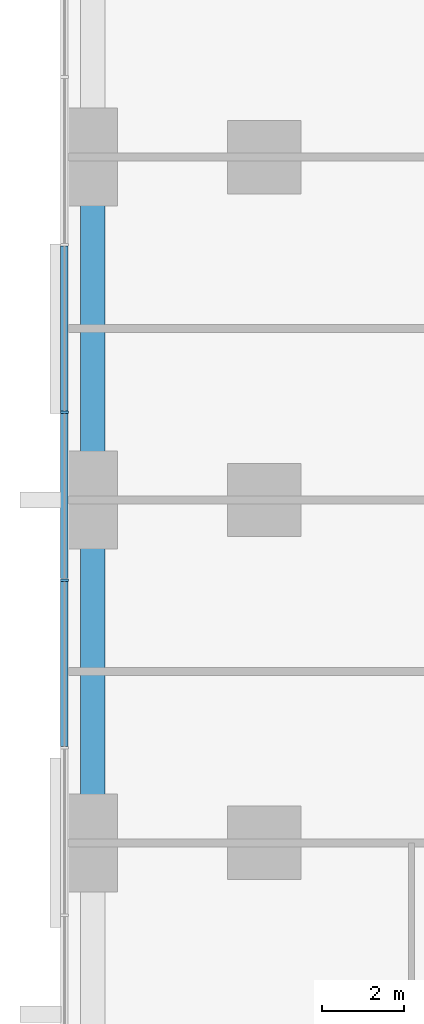
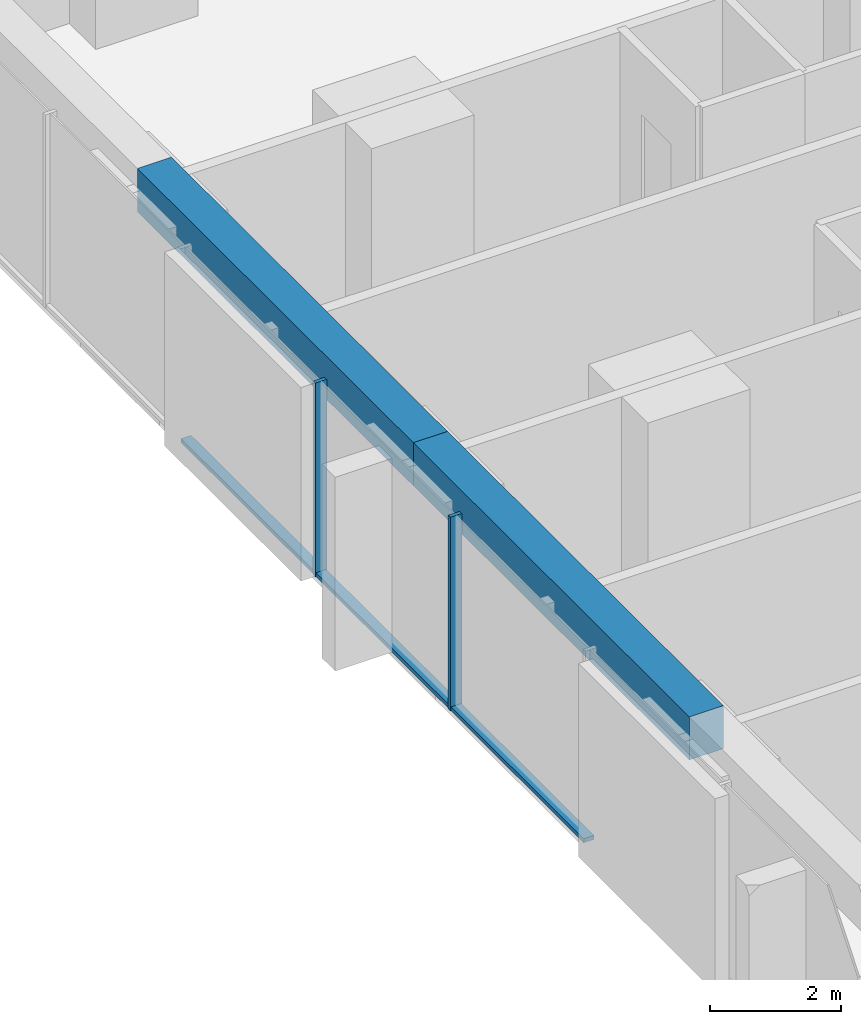
# One storey, part 3 of 18: 5 members, 2 beams, 1 element without a shape of its own.
"""IFC4 building model written with IfcOpenShell, lengths in metres."""

from ifc_helpers import new_model, si_unit, direction, frame, origin, origin_2d, place, context, subcontext, project, spatial, rectangle, extrude, material, material_profile, profile_set, type_object, element, aggregate, save


model = new_model("IFC4")

# Units and contexts
model_context = context("Model", 3, precision=1e-05, world=origin(), true_north=direction((0.0, 1.0)))
body_context = subcontext(model_context, "Body", "Model", "MODEL_VIEW")
ifc_project = project(units=[si_unit("LENGTHUNIT", "METRE"), si_unit("AREAUNIT", "SQUARE_METRE"), si_unit("VOLUMEUNIT", "CUBIC_METRE"), si_unit("PLANEANGLEUNIT", "RADIAN"), si_unit("MASSUNIT", "GRAM", prefix="KILO")], contexts=[model_context])

# Site, building, storey
site_placement = place(None, origin())
site = spatial("IfcSite", under=ifc_project, at=site_placement, CompositionType="ELEMENT")
building_placement = place(site_placement, origin())
building = spatial("IfcBuilding", under=site, at=building_placement, Name="Dunama Terrace Hotel", CompositionType="ELEMENT")
storey_placement = place(building_placement, frame((0.0, 0.0, 30.60009765625)))
storey = spatial("IfcBuildingStorey", under=building, at=storey_placement, Name="L06", CompositionType="ELEMENT", Elevation=30.60009765625)

# Curtain wall, members
ifc_material_1 = material(Name="Aluminium curtain wall system", Category="aluminium")
curtain_wall_type = type_object("IfcCurtainWallType", Name="Unitised fritted glass wall CW-A", PredefinedType="NOTDEFINED", material=ifc_material_1)
curtain_wall_placement = place(storey_placement, origin())
curtain_wall = element("IfcCurtainWall", 1, at=curtain_wall_placement, inside=storey, type_object=curtain_wall_type, Name="Unitised fritted glass wall CW-A L06", PredefinedType="NOTDEFINED")
ifc_material_2 = material(Name="Aluminium mullion", Category="aluminium")
ifc_material_profile_1 = material_profile(ifc_material_2, rectangle(XDim=0.06494140625, YDim=0.199951171875, at=origin_2d()), Name="CWA MULLION 65X200")
ifc_profile_set_1 = profile_set([ifc_material_profile_1], Name="Aluminium mullion")
member_type_1 = type_object("IfcMemberType", Name="CWA mullion 65x200", PredefinedType="MULLION", material=ifc_profile_set_1)
member_1_placement = place(storey_placement, frame((-0.10009765625, 27.345947265625, 0.0), z_axis=(0.0, 0.0, 1.0), x_axis=(0.0, -1.0, 0.0)))
member_1 = element("IfcMember", 2, at=member_1_placement, type_object=member_type_1, Name="CWA mullion", PredefinedType="MULLION", context=body_context, shape_type="SweptSolid", body=[
    extrude(rectangle(XDim=0.06494140625, YDim=0.199951171875, at=origin_2d()), origin(), (0.0, 0.0, 1.0), 3.599853515625),
])
member_2_placement = place(storey_placement, frame((-0.10009765625, 23.238037109375, 0.0), z_axis=(0.0, 0.0, 1.0), x_axis=(0.0, -1.0, 0.0)))
member_2 = element("IfcMember", 3, at=member_2_placement, type_object=member_type_1, Name="CWA mullion", PredefinedType="MULLION", context=body_context, shape_type="SweptSolid", body=[
    extrude(rectangle(XDim=0.06494140625, YDim=0.199951171875, at=origin_2d()), origin(), (0.0, 0.0, 1.0), 3.599853515625),
])
ifc_material_3 = material(Name="Aluminium transom", Category="aluminium")
ifc_material_profile_2 = material_profile(ifc_material_3, rectangle(XDim=0.179931640625, YDim=0.074951171875, at=origin_2d()), Name="CWA TRANSOM 180X75")
ifc_profile_set_2 = profile_set([ifc_material_profile_2], Name="Aluminium transom")
member_type_2 = type_object("IfcMemberType", Name="CWA transom 180x75", PredefinedType="USERDEFINED", material=ifc_profile_set_2)
member_3_placement = place(storey_placement, frame((-0.10009765625, 31.4208984375, 0.037353515625), z_axis=(0.0, -1.0, 0.0), x_axis=(1.0, 0.0, 0.0)))
member_3 = element("IfcMember", 4, at=member_3_placement, type_object=member_type_2, Name="CWA transom", ObjectType="TRANSOM", PredefinedType="USERDEFINED", context=body_context, shape_type="SweptSolid", body=[
    extrude(rectangle(XDim=0.179931640625, YDim=0.074951171875, at=origin_2d()), origin(), (0.0, 0.0, 1.0), 4.0419921875),
])
member_4_placement = place(storey_placement, frame((-0.10009765625, 27.31396484375, 0.037353515625), z_axis=(0.0, -1.0, 0.0), x_axis=(1.0, 0.0, 0.0)))
member_4 = element("IfcMember", 5, at=member_4_placement, type_object=member_type_2, Name="CWA transom", ObjectType="TRANSOM", PredefinedType="USERDEFINED", context=body_context, shape_type="SweptSolid", body=[
    extrude(rectangle(XDim=0.179931640625, YDim=0.074951171875, at=origin_2d()), origin(), (0.0, 0.0, 1.0), 4.04296875),
])
member_5_placement = place(storey_placement, frame((-0.10009765625, 23.2060546875, 0.037353515625), z_axis=(0.0, -1.0, 0.0), x_axis=(1.0, 0.0, 0.0)))
member_5 = element("IfcMember", 6, at=member_5_placement, type_object=member_type_2, Name="CWA transom", ObjectType="TRANSOM", PredefinedType="USERDEFINED", context=body_context, shape_type="SweptSolid", body=[
    extrude(rectangle(XDim=0.179931640625, YDim=0.074951171875, at=origin_2d()), origin(), (0.0, 0.0, 1.0), 4.04296875),
])
aggregate(curtain_wall, [member_1, member_2, member_3, member_4, member_5])

# Beams
ifc_material_4 = material(Name="Concrete C40/50", Category="concrete")
ifc_material_profile_3 = material_profile(ifc_material_4, rectangle(XDim=0.60009765625, YDim=0.800048828125, at=origin_2d()), Name="RC 600x800")
ifc_profile_set_3 = profile_set([ifc_material_profile_3], Name="Concrete C40/50")
beam_type = type_object("IfcBeamType", Name="Edge beam RC 600x800", PredefinedType="SPANDREL", material=ifc_profile_set_3)
beam_1_placement = place(storey_placement, frame((0.60009765625, 16.800048828125, 3.199951171875), z_axis=(0.0, 1.0, 0.0), x_axis=(-1.0, 0.0, 0.0)))
element("IfcBeam", 7, at=beam_1_placement, inside=storey, type_object=beam_type, Name="Edge beam under L07", PredefinedType="SPANDREL", context=body_context, shape_type="SweptSolid", body=[
    extrude(rectangle(XDim=0.60009765625, YDim=0.800048828125, at=origin_2d()), origin(), (0.0, 0.0, 1.0), 8.39990234375),
])
beam_2_placement = place(storey_placement, frame((0.60009765625, 25.199951171875, 3.199951171875), z_axis=(0.0, 1.0, 0.0), x_axis=(-1.0, 0.0, 0.0)))
element("IfcBeam", 8, at=beam_2_placement, inside=storey, type_object=beam_type, Name="Edge beam under L07", PredefinedType="SPANDREL", context=body_context, shape_type="SweptSolid", body=[
    extrude(rectangle(XDim=0.60009765625, YDim=0.800048828125, at=origin_2d()), origin(), (0.0, 0.0, 1.0), 8.400146484375),
])

save(model, "model.ifc")
